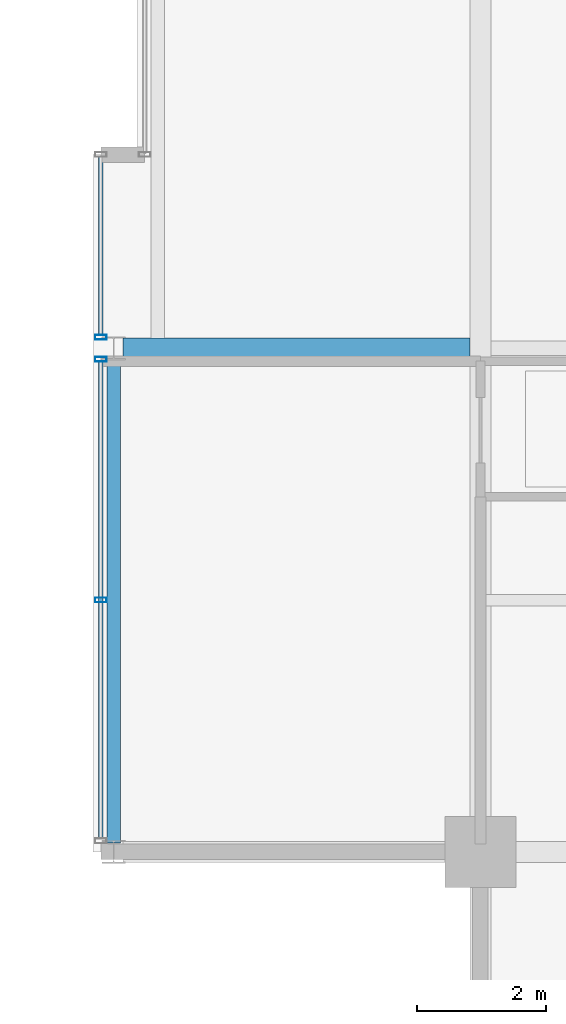
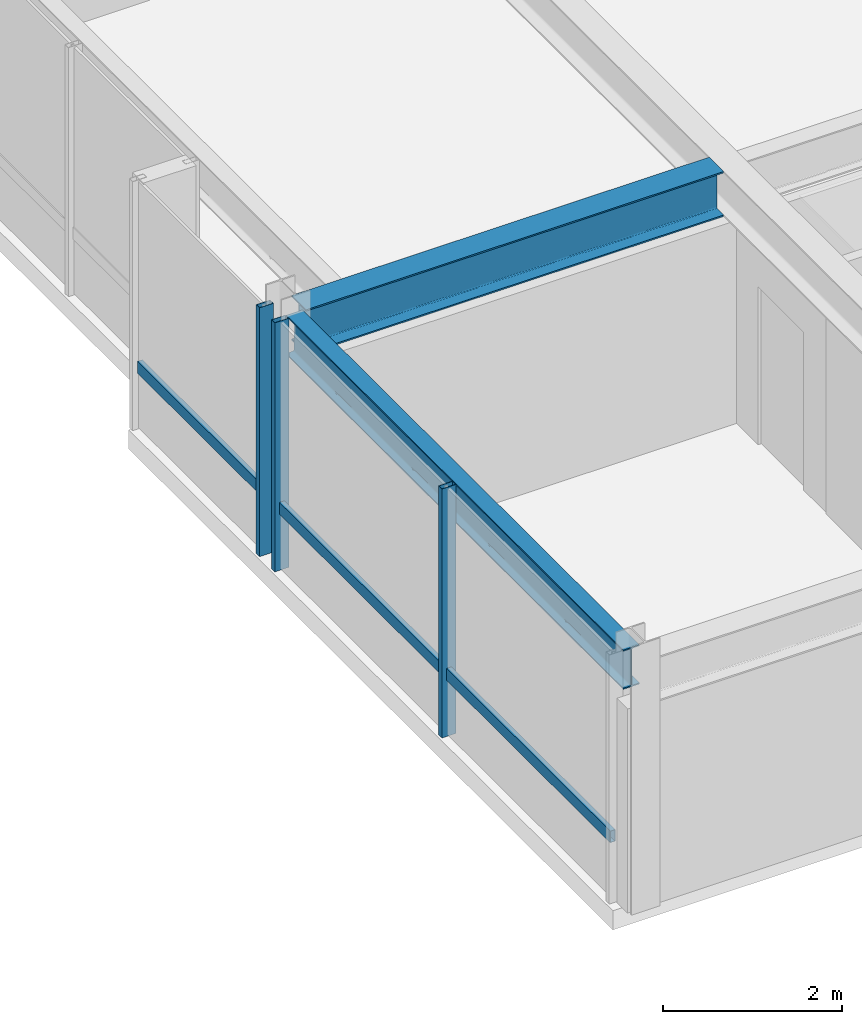
# One storey, part 5 of 33: 5 members, 2 beams, 2 elements without a shape of their own.
"""IFC4 building model written with IfcOpenShell, lengths in metres."""

import ifcopenshell
import ifcopenshell.guid

model = None  # the IFC model being written
_history = None  # IfcOwnerHistory: only IFC2X3 demands one
_inside = {}  # id of a spatial element -> (the spatial element, [elements in it])
_under = {}  # id of a project, library or spatial element -> (it, [spatial elements below it])
_declared = {}  # id of a project -> (the project, [libraries it declares])
_typed = {}  # id of a type object -> (the type object, [elements of that type])
_made_of = {}  # id of a material, layer set ... -> (it, [elements and type objects made of it])


def new_model(schema):
    """Start an empty IFC model of exactly this schema.

    Asked for "IFC4X3", IfcOpenShell would pick the latest addendum, in which some entities
    have other attributes; the version numbers below select the first issue.
    IFC2X3 requires an IfcOwnerHistory on every rooted entity: one is made here for all.
    """
    global model, _history
    if schema == "IFC4X3":
        model = ifcopenshell.file(schema_version=(4, 3, 0, 0))
    else:
        model = ifcopenshell.file(schema=schema)
    _inside.clear()
    _under.clear()
    _declared.clear()
    _typed.clear()
    _made_of.clear()
    _history = None
    if model.schema == "IFC2X3":
        org = make("IfcOrganization", Name="unknown")
        user = make(
            "IfcPersonAndOrganization",
            ThePerson=make("IfcPerson", FamilyName="unknown"),
            TheOrganization=org,
        )
        app = make(
            "IfcApplication",
            ApplicationDeveloper=org,
            Version="unknown",
            ApplicationFullName="unknown",
            ApplicationIdentifier="unknown",
        )
        _history = make(
            "IfcOwnerHistory",
            OwningUser=user,
            OwningApplication=app,
            ChangeAction="ADDED",
            CreationDate=0,
        )
    return model


def make(cls, **values):
    """One entity of the class cls with the attributes given. An attribute that is None is left unset."""
    return model.create_entity(
        cls, **{name: value for name, value in values.items() if value is not None}
    )


def rooted(cls, **values):
    """An entity with a GlobalId (a new one), such as an element, a storey or a relation."""
    return make(cls, GlobalId=ifcopenshell.guid.new(), OwnerHistory=_history, **values)


def si_unit(unit_type, name, prefix=None):
    """IfcSIUnit, for example si_unit("LENGTHUNIT", "METRE", prefix="MILLI")."""
    return make("IfcSIUnit", UnitType=unit_type, Prefix=prefix, Name=name)


def assignment(units):
    """IfcUnitAssignment: the units of a project."""
    return None if units is None else make("IfcUnitAssignment", Units=units)


def point(xyz):
    """IfcCartesianPoint."""
    return None if xyz is None else make("IfcCartesianPoint", Coordinates=xyz)


def direction(xyz):
    """IfcDirection."""
    return None if xyz is None else make("IfcDirection", DirectionRatios=xyz)


def frame(location, z_axis=None, x_axis=None):
    """IfcAxis2Placement3D, a coordinate frame: its origin and axes. An axis left out is left unset."""
    return make(
        "IfcAxis2Placement3D",
        Location=point(location),
        Axis=direction(z_axis),
        RefDirection=direction(x_axis),
    )


def frame_2d(location, x_axis=None):
    """IfcAxis2Placement2D, a coordinate frame in the plane: its origin and x axis."""
    return make(
        "IfcAxis2Placement2D", Location=point(location), RefDirection=direction(x_axis)
    )


def origin():
    """The frame at (0, 0, 0) with its axes left unset."""
    return frame((0.0, 0.0, 0.0))


def origin_2d():
    """The frame at (0, 0) in the plane with its x axis left unset."""
    return frame_2d((0.0, 0.0))


def place(relative_to, where):
    """IfcLocalPlacement: puts the frame where relative to a parent placement (None: the world)."""
    return make(
        "IfcLocalPlacement", PlacementRelTo=relative_to, RelativePlacement=where
    )


def context(
    kind, dimensions, precision=None, world=None, true_north=None, identifier=None
):
    """IfcGeometricRepresentationContext, for example the 3D "Model" context."""
    return make(
        "IfcGeometricRepresentationContext",
        ContextIdentifier=identifier,
        ContextType=kind,
        CoordinateSpaceDimension=dimensions,
        Precision=precision,
        WorldCoordinateSystem=world,
        TrueNorth=true_north,
    )


def subcontext(parent, identifier, kind, view, scale=None):
    """IfcGeometricRepresentationSubContext, for example "Body" below "Model"."""
    return make(
        "IfcGeometricRepresentationSubContext",
        ContextIdentifier=identifier,
        ContextType=kind,
        ParentContext=parent,
        TargetScale=scale,
        TargetView=view,
    )


def project(units=None, contexts=None):
    """IfcProject with its units and contexts."""
    return rooted(
        "IfcProject",
        Name="project",
        RepresentationContexts=contexts,
        UnitsInContext=assignment(units),
    )


def spatial(cls, under=None, at=None, **own):
    """A site, building, storey or space (cls), placed at a placement, below another one or the project."""
    s = rooted(cls, ObjectPlacement=at, **own)
    if under is not None:
        _under.setdefault(under.id(), (under, []))[1].append(s)
    return s


def profile(cls, at=None, kind="AREA", **sizes):
    """A parametric profile (cls). Its sizes go by their IFC names, for example OverallWidth=200.0."""
    return make(cls, ProfileType=kind, Position=at, **sizes)


def hollow_rectangle(**sizes):
    """IfcRectangleHollowProfileDef."""
    return profile("IfcRectangleHollowProfileDef", **sizes)


def i_section(**sizes):
    """IfcIShapeProfileDef."""
    return profile("IfcIShapeProfileDef", **sizes)


def extrude(swept, where, along, depth):
    """IfcExtrudedAreaSolid: the profile swept, set in the frame where, extruded along a direction by depth."""
    return make(
        "IfcExtrudedAreaSolid",
        SweptArea=swept,
        Position=where,
        ExtrudedDirection=direction(along),
        Depth=depth,
    )


def shape(context_of_items, identifier, shape_type, items):
    """IfcShapeRepresentation: the items that make up one representation, for example the "Body"."""
    return make(
        "IfcShapeRepresentation",
        ContextOfItems=context_of_items,
        RepresentationIdentifier=identifier,
        RepresentationType=shape_type,
        Items=items,
    )


def material(Name=None, Category=None):
    """IfcMaterial."""
    return make("IfcMaterial", Name=Name, Category=Category)


def layer(
    of_material, thickness, ventilated=None, Name=None, Category=None, Priority=None
):
    """IfcMaterialLayer: one layer of a wall or slab, of a material (None: an air gap)."""
    return make(
        "IfcMaterialLayer",
        Material=of_material,
        LayerThickness=thickness,
        IsVentilated=ventilated,
        Name=Name,
        Category=Category,
        Priority=Priority,
    )


def layer_set(layers, Name=None):
    """IfcMaterialLayerSet."""
    return make("IfcMaterialLayerSet", MaterialLayers=layers, LayerSetName=Name)


def material_profile(
    of_material, cross_section, Name=None, Category=None, Priority=None
):
    """IfcMaterialProfile: a cross section and its material."""
    return make(
        "IfcMaterialProfile",
        Name=Name,
        Material=of_material,
        Profile=cross_section,
        Priority=Priority,
        Category=Category,
    )


def profile_set(profiles, Name=None, composite=None):
    """IfcMaterialProfileSet."""
    return make(
        "IfcMaterialProfileSet",
        Name=Name,
        MaterialProfiles=profiles,
        CompositeProfile=composite,
    )


def made_of(thing, what):
    """Note that an element or type object is made of a material, layer set ...; save() writes the relation."""
    if what is not None:
        _made_of.setdefault(what.id(), (what, []))[1].append(thing)
    return thing


def type_object(cls, material=None, **own):
    """A type object (cls), such as IfcWallType, which elements share."""
    return made_of(rooted(cls, **own), material)


def element(
    cls,
    number,
    at=None,
    inside=None,
    cuts=None,
    type_object=None,
    material=None,
    context=None,
    identifier="Body",
    shape_type=None,
    held_by="IfcProductDefinitionShape",
    body=None,
    shapes=None,
    **own,
):
    """One element of the class cls, such as IfcWall. Its Tag is "e" and its number.

    at: its placement. inside: the storey or other place that contains it. cuts: it is an
    opening in that element (IfcRelVoidsElement). A single representation is given by context,
    identifier, shape_type and body (its items); several are given by shapes. held_by: the class
    of the entity that holds the representations. save() writes the other relations.
    """
    e = rooted(cls, Tag="e%d" % number, ObjectPlacement=at, **own)
    if body is not None:
        shapes = [shape(context, identifier, shape_type, body)]
    if shapes is not None:
        e.Representation = make(held_by, Representations=shapes)
    if inside is not None:
        _inside.setdefault(inside.id(), (inside, []))[1].append(e)
    if cuts is not None:
        rooted(
            "IfcRelVoidsElement", RelatingBuildingElement=cuts, RelatedOpeningElement=e
        )
    if type_object is not None:
        _typed.setdefault(type_object.id(), (type_object, []))[1].append(e)
    return made_of(e, material)


def aggregate(whole, parts):
    """IfcRelAggregates: a whole, such as a stair, and the parts it consists of."""
    return rooted("IfcRelAggregates", RelatingObject=whole, RelatedObjects=parts)


def save(model, path):
    """Write the relations noted so far, then the file.

    IfcRelAggregates (storeys below a building ...), IfcRelContainedInSpatialStructure (elements
    in a storey), IfcRelDefinesByType, IfcRelAssociatesMaterial and IfcRelDeclares: one each for
    every whole, place, type object, material and project.
    """
    for whole, parts in _under.values():
        aggregate(whole, parts)
    for where, things in _inside.values():
        rooted(
            "IfcRelContainedInSpatialStructure",
            RelatedElements=things,
            RelatingStructure=where,
        )
    for kind, things in _typed.values():
        rooted("IfcRelDefinesByType", RelatedObjects=things, RelatingType=kind)
    for what, things in _made_of.values():
        rooted("IfcRelAssociatesMaterial", RelatedObjects=things, RelatingMaterial=what)
    for by, libraries in _declared.values():
        rooted("IfcRelDeclares", RelatingContext=by, RelatedDefinitions=libraries)
    model.write(path)


model = new_model("IFC4")

# Units and contexts
model_context = context("Model", 3, precision=1e-05, world=origin(), true_north=direction((0.0, 1.0)))
body_context = subcontext(model_context, "Body", "Model", "MODEL_VIEW")
ifc_project = project(units=[si_unit("LENGTHUNIT", "METRE"), si_unit("AREAUNIT", "SQUARE_METRE"), si_unit("VOLUMEUNIT", "CUBIC_METRE"), si_unit("PLANEANGLEUNIT", "RADIAN"), si_unit("MASSUNIT", "GRAM", prefix="KILO")], contexts=[model_context])

# Site, building, storey
site_placement = place(None, origin())
site = spatial("IfcSite", under=ifc_project, at=site_placement, CompositionType="ELEMENT")
building_placement = place(site_placement, origin())
building = spatial("IfcBuilding", under=site, at=building_placement, Name="Drelvath Grand Hotel", CompositionType="ELEMENT")
storey_placement = place(building_placement, frame((0.0, 0.0, 279.60009765625)))
storey = spatial("IfcBuildingStorey", under=building, at=storey_placement, Name="L73", CompositionType="ELEMENT", Elevation=279.60009765625)

# Curtain wall, member
ifc_material_1 = material(Name="Platinum-Mist Anodised Aluminium Frame", Category="aluminium")
ifc_layer = layer(ifc_material_1, 0.199951171875)
ifc_layer_set = layer_set([ifc_layer], Name="Platinum-Mist Anodised Aluminium Frame")
curtain_wall_type = type_object("IfcCurtainWallType", Name="Stick Curtain Wall CW-05 Platinum Mist High-Rise", PredefinedType="NOTDEFINED", material=ifc_layer_set)
curtain_wall_1_placement = place(storey_placement, origin())
curtain_wall_1 = element("IfcCurtainWall", 1, at=curtain_wall_1_placement, inside=storey, type_object=curtain_wall_type, Name="L73 CW-05 Curtain Wall CW05-L73-WS1", PredefinedType="NOTDEFINED")
ifc_material_profile_1 = material_profile(ifc_material_1, hollow_rectangle(XDim=0.06494140625, YDim=0.159912109375, WallThickness=0.00390625, at=origin_2d()), Name="HSS160X65X4")
ifc_profile_set_1 = profile_set([ifc_material_profile_1], Name="Platinum-Mist Anodised Aluminium Frame")
member_type_1 = type_object("IfcMemberType", Name="Curtain Wall Horizontal Transom CW-05 HSS160X65X4", PredefinedType="USERDEFINED", material=ifc_profile_set_1)
member_1_placement = place(storey_placement, frame((-22.080078125, 11.010009765625, 0.847412109375), z_axis=(0.0, 1.0, 0.0), x_axis=(-1.0, 0.0, 0.0)))
member_1 = element("IfcMember", 2, at=member_1_placement, type_object=member_type_1, Name="CW05-L73-WS1 Sill Transom", ObjectType="TRANSOM", PredefinedType="USERDEFINED", context=body_context, shape_type="SweptSolid", body=[
    extrude(hollow_rectangle(XDim=0.06494140625, YDim=0.159912109375, WallThickness=0.00390625, at=origin_2d()), origin(), (0.0, 0.0, 1.0), 7.3798828125),
])

curtain_wall_2_placement = place(storey_placement, origin())
curtain_wall_2 = element("IfcCurtainWall", 3, at=curtain_wall_2_placement, inside=storey, type_object=curtain_wall_type, Name="L73 CW-05 Curtain Wall CW05-L73-WS2", PredefinedType="NOTDEFINED")
member_2_placement = place(storey_placement, frame((-22.080078125, 18.81005859375, 0.847412109375), z_axis=(0.0, 1.0, 0.0), x_axis=(-1.0, 0.0, 0.0)))
member_2 = element("IfcMember", 4, at=member_2_placement, type_object=member_type_1, Name="CW05-L73-WS2 Sill Transom", ObjectType="TRANSOM", PredefinedType="USERDEFINED", context=body_context, shape_type="SweptSolid", body=[
    extrude(hollow_rectangle(XDim=0.06494140625, YDim=0.159912109375, WallThickness=0.00390625, at=origin_2d()), origin(), (0.0, 0.0, 1.0), 2.75),
])

# Member
ifc_material_profile_2 = material_profile(ifc_material_1, hollow_rectangle(XDim=0.074951171875, YDim=0.179931640625, WallThickness=0.0048828125, at=origin_2d()), Name="HSS180X75X5")
ifc_profile_set_2 = profile_set([ifc_material_profile_2], Name="Platinum-Mist Anodised Aluminium Frame")
member_type_2 = type_object("IfcMemberType", Name="Curtain Wall Vertical Mullion CW-05 HSS180X75X5", PredefinedType="MULLION", material=ifc_profile_set_2)
member_3_placement = place(storey_placement, frame((-22.080078125, 14.7001953125, 0.0), z_axis=(0.0, 0.0, 1.0), x_axis=(0.0, 1.0, 0.0)))
member_3 = element("IfcMember", 5, at=member_3_placement, type_object=member_type_2, Name="CW05-L73-WS1 Mullion 2", PredefinedType="MULLION", context=body_context, shape_type="SweptSolid", body=[
    extrude(hollow_rectangle(XDim=0.074951171875, YDim=0.179931640625, WallThickness=0.0048828125, at=origin_2d()), origin(), (0.0, 0.0, 1.0), 3.389892578125),
])

member_4_placement = place(storey_placement, frame((-22.080078125, 18.429931640625, 0.0), z_axis=(0.0, 0.0, 1.0), x_axis=(0.0, 1.0, 0.0)))
member_4 = element("IfcMember", 6, at=member_4_placement, type_object=member_type_2, Name="CW05-L73-WS1 Mullion 3", PredefinedType="MULLION", context=body_context, shape_type="SweptSolid", body=[
    extrude(hollow_rectangle(XDim=0.074951171875, YDim=0.179931640625, WallThickness=0.0048828125, at=origin_2d()), origin(), (0.0, 0.0, 1.0), 3.389892578125),
])

aggregate(curtain_wall_1, [member_3, member_4, member_1])

member_5_placement = place(storey_placement, frame((-22.080078125, 18.77001953125, 0.0), z_axis=(0.0, 0.0, 1.0), x_axis=(0.0, 1.0, 0.0)))
member_5 = element("IfcMember", 7, at=member_5_placement, type_object=member_type_2, Name="CW05-L73-WS2 Mullion 1", PredefinedType="MULLION", context=body_context, shape_type="SweptSolid", body=[
    extrude(hollow_rectangle(XDim=0.074951171875, YDim=0.179931640625, WallThickness=0.0048828125, at=origin_2d()), origin(), (0.0, 0.0, 1.0), 3.389892578125),
])

aggregate(curtain_wall_2, [member_5, member_2])

# Beams
ifc_material_2 = material(Name="Steel ASTM A992 Gr 50", Category="steel")
ifc_material_profile_3 = material_profile(ifc_material_2, i_section(OverallWidth=0.210205078125, OverallDepth=0.53662109375, WebThickness=0.010986328125, FlangeThickness=0.017333984375, FilletRadius=0.01806640625, at=origin_2d()), Name="W21X68")
ifc_profile_set_3 = profile_set([ifc_material_profile_3], Name="Steel ASTM A992 Gr 50")
beam_type_1 = type_object("IfcBeamType", Name="Perimeter Spandrel Beam W21X68", PredefinedType="SPANDREL", material=ifc_profile_set_3)
beam_1_placement = place(storey_placement, frame((-21.8798828125, 10.93994140625, 3.12158203125), z_axis=(0.0, 1.0, 0.0), x_axis=(-1.0, 0.0, 0.0)))
element("IfcBeam", 8, at=beam_1_placement, inside=storey, type_object=beam_type_1, Name="L73 Spandrel West S", PredefinedType="SPANDREL", context=body_context, shape_type="SweptSolid", body=[
    extrude(i_section(OverallWidth=0.210205078125, OverallDepth=0.53662109375, WebThickness=0.010986328125, FlangeThickness=0.017333984375, FilletRadius=0.01806640625, at=origin_2d()), origin(), (0.0, 0.0, 1.0), 7.52001953125),
])
ifc_material_profile_4 = material_profile(ifc_material_2, i_section(OverallWidth=0.323974609375, OverallDepth=0.611083984375, WebThickness=0.0126953125, FlangeThickness=0.01904296875, FilletRadius=0.02197265625, at=origin_2d()), Name="W24X104")
ifc_profile_set_4 = profile_set([ifc_material_profile_4], Name="Steel ASTM A992 Gr 50")
beam_type_2 = type_object("IfcBeamType", Name="Primary Floor Girder W24X104", PredefinedType="BEAM", material=ifc_profile_set_4)
beam_2_placement = place(storey_placement, frame((-21.739990234375, 18.60009765625, 3.08447265625), z_axis=(1.0, 0.0, 0.0), x_axis=(0.0, 1.0, 0.0)))
element("IfcBeam", 9, at=beam_2_placement, inside=storey, type_object=beam_type_2, Name="L73 West Wing Girder D", PredefinedType="BEAM", context=body_context, shape_type="SweptSolid", body=[
    extrude(i_section(OverallWidth=0.323974609375, OverallDepth=0.611083984375, WebThickness=0.0126953125, FlangeThickness=0.01904296875, FilletRadius=0.02197265625, at=origin_2d()), origin(), (0.0, 0.0, 1.0), 5.3779296875),
])

save(model, "model.ifc")
